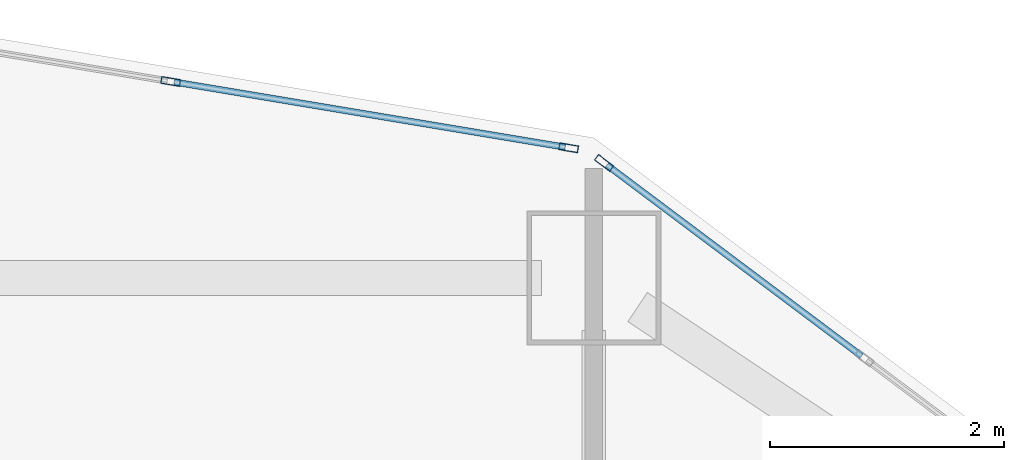
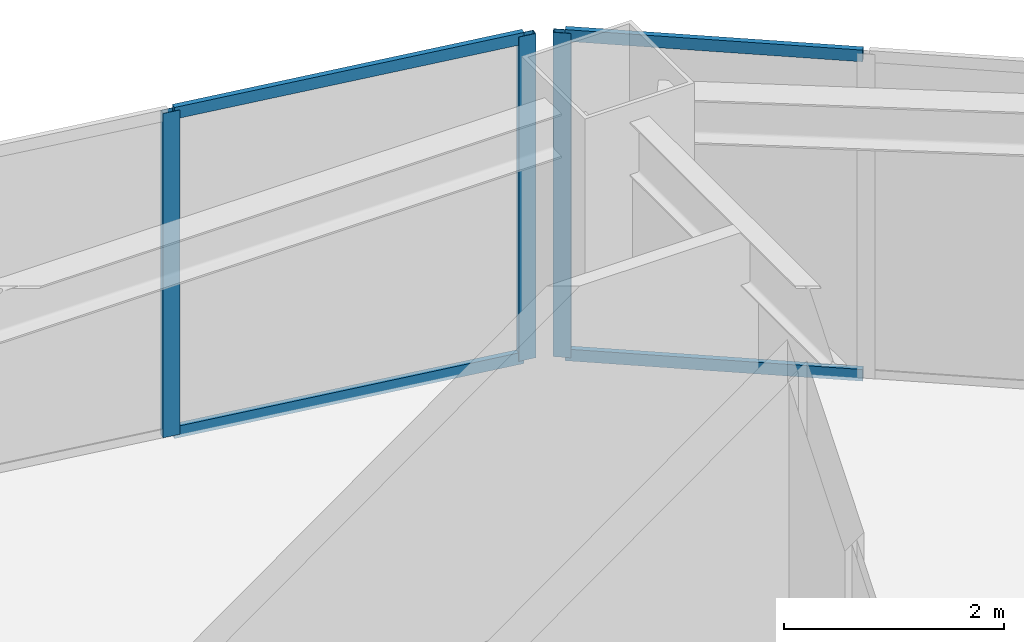
# One storey, part 4 of 16: 7 members, 2 elements without a shape of their own.
"""IFC4 building model written with IfcOpenShell, lengths in metres."""

from ifc_helpers import new_model, si_unit, direction, frame, origin, origin_2d, place, context, subcontext, project, spatial, hollow_rectangle, extrude, material, layer, layer_set, material_profile, profile_set, type_object, element, aggregate, save


model = new_model("IFC4")

# Units and contexts
model_context = context("Model", 3, precision=1e-05, world=origin(), true_north=direction((0.0, 1.0)))
body_context = subcontext(model_context, "Body", "Model", "MODEL_VIEW")
ifc_project = project(units=[si_unit("LENGTHUNIT", "METRE"), si_unit("AREAUNIT", "SQUARE_METRE"), si_unit("VOLUMEUNIT", "CUBIC_METRE"), si_unit("PLANEANGLEUNIT", "RADIAN"), si_unit("MASSUNIT", "GRAM", prefix="KILO")], contexts=[model_context])

# Site, building, storey
site_placement = place(None, origin())
site = spatial("IfcSite", under=ifc_project, at=site_placement, CompositionType="ELEMENT")
building_placement = place(site_placement, origin())
building = spatial("IfcBuilding", under=site, at=building_placement, Name="Haolan Belvedere Tower", CompositionType="ELEMENT")
storey_placement = place(building_placement, frame((0.0, 0.0, 62.800048828125)))
storey = spatial("IfcBuildingStorey", under=building, at=storey_placement, Name="L15", CompositionType="ELEMENT", Elevation=62.800048828125)

# Curtain wall, member
ifc_material_1 = material(Name="Anodised champagne-silver aluminium 6063-T6 and Low-E glass", Category="aluminium")
ifc_layer = layer(ifc_material_1, 0.1650390625, Name="Anodised champagne-silver aluminium 6063-T6 and Low-E glass")
ifc_layer_set = layer_set([ifc_layer], Name="Anodised champagne-silver aluminium 6063-T6 and Low-E glass")
curtain_wall_type = type_object("IfcCurtainWallType", Name="CW-SYS-02", PredefinedType="NOTDEFINED", material=ifc_layer_set)
curtain_wall_1_placement = place(storey_placement, origin())
curtain_wall_1 = element("IfcCurtainWall", 1, at=curtain_wall_1_placement, inside=storey, type_object=curtain_wall_type, Name="L15 CW-SYS-02 ribbon curtain wall 41.1", PredefinedType="NOTDEFINED")
ifc_material_2 = material(Name="Anodised aluminium 6063-T6", Category="aluminium")
ifc_material_profile_1 = material_profile(ifc_material_2, hollow_rectangle(XDim=0.06005859375, YDim=0.1650390625, WallThickness=0.00390625, at=origin_2d()), Name="Anodised aluminium 6063-T6")
ifc_profile_set_1 = profile_set([ifc_material_profile_1], Name="Anodised aluminium 6063-T6")
member_type_1 = type_object("IfcMemberType", Name="CW-SYS-02-MUL", PredefinedType="MULLION", material=ifc_profile_set_1)
member_1_placement = place(storey_placement, frame((45.6875, 51.384521484375, 0.0), z_axis=(0.0, 0.0, 1.0), x_axis=(-0.599994316874, -0.800004262313, 0.0)))
member_1 = element("IfcMember", 2, at=member_1_placement, type_object=member_type_1, Name="CW-02 mullion 3", PredefinedType="MULLION", context=body_context, shape_type="SweptSolid", body=[
    extrude(hollow_rectangle(XDim=0.06005859375, YDim=0.1650390625, WallThickness=0.00390625, at=origin_2d()), origin(), (0.0, 0.0, 1.0), 3.599853515625),
])

# Curtain wall, members
curtain_wall_2_placement = place(storey_placement, origin())
curtain_wall_2 = element("IfcCurtainWall", 3, at=curtain_wall_2_placement, inside=storey, type_object=curtain_wall_type, Name="L15 CW-SYS-02 ribbon curtain wall 42.1", PredefinedType="NOTDEFINED")
member_2_placement = place(storey_placement, frame((45.3837890625, 51.514404296875, 0.0), z_axis=(0.0, 0.0, 1.0), x_axis=(-0.16440364043, -0.9863931483, 0.0)))
member_2 = element("IfcMember", 4, at=member_2_placement, type_object=member_type_1, Name="CW-02 mullion 1", PredefinedType="MULLION", context=body_context, shape_type="SweptSolid", body=[
    extrude(hollow_rectangle(XDim=0.06005859375, YDim=0.1650390625, WallThickness=0.00390625, at=origin_2d()), origin(), (0.0, 0.0, 1.0), 3.599853515625),
])
member_3_placement = place(storey_placement, frame((41.9755859375, 52.082275390625, 0.0), z_axis=(0.0, 0.0, 1.0), x_axis=(-0.16440364043, -0.9863931483, 0.0)))
member_3 = element("IfcMember", 5, at=member_3_placement, type_object=member_type_1, Name="CW-02 mullion 2", PredefinedType="MULLION", context=body_context, shape_type="SweptSolid", body=[
    extrude(hollow_rectangle(XDim=0.06005859375, YDim=0.1650390625, WallThickness=0.00390625, at=origin_2d()), origin(), (0.0, 0.0, 1.0), 3.599853515625),
])

# Member
ifc_material_profile_2 = material_profile(ifc_material_2, hollow_rectangle(XDim=0.054931640625, YDim=0.1298828125, WallThickness=0.00390625, at=origin_2d()), Name="Anodised aluminium 6063-T6")
ifc_profile_set_2 = profile_set([ifc_material_profile_2], Name="Anodised aluminium 6063-T6")
member_type_2 = type_object("IfcMemberType", Name="CW-SYS-02-TRN", PredefinedType="USERDEFINED", material=ifc_profile_set_2)
member_4_placement = place(storey_placement, frame((47.8916015625, 49.731201171875, 0.02734375), z_axis=(-0.799978499504, 0.600028666258, 0.0), x_axis=(-0.600028666258, -0.799978499504, 0.0)))
member_4 = element("IfcMember", 6, at=member_4_placement, type_object=member_type_2, Name="CW-02 transom 2.1", ObjectType="TRANSOM", PredefinedType="USERDEFINED", context=body_context, shape_type="SweptSolid", body=[
    extrude(hollow_rectangle(XDim=0.054931640625, YDim=0.1298828125, WallThickness=0.00390625, at=origin_2d()), origin(), (0.0, 0.0, 1.0), 2.725341796875),
])

member_5_placement = place(storey_placement, frame((47.8916015625, 49.731201171875, 3.572509765625), z_axis=(-0.799978499504, 0.600028666258, 0.0), x_axis=(-0.600028666258, -0.799978499504, 0.0)))
member_5 = element("IfcMember", 7, at=member_5_placement, type_object=member_type_2, Name="CW-02 transom 2.2", ObjectType="TRANSOM", PredefinedType="USERDEFINED", context=body_context, shape_type="SweptSolid", body=[
    extrude(hollow_rectangle(XDim=0.054931640625, YDim=0.1298828125, WallThickness=0.00390625, at=origin_2d()), origin(), (0.0, 0.0, 1.0), 2.725341796875),
])

aggregate(curtain_wall_1, [member_1, member_4, member_5])

member_6_placement = place(storey_placement, frame((45.35400390625, 51.519287109375, 0.02734375), z_axis=(-0.986393923832, 0.164398987305, 0.0), x_axis=(-0.164398987305, -0.986393923832, 0.0)))
member_6 = element("IfcMember", 8, at=member_6_placement, type_object=member_type_2, Name="CW-02 transom 1.1", ObjectType="TRANSOM", PredefinedType="USERDEFINED", context=body_context, shape_type="SweptSolid", body=[
    extrude(hollow_rectangle(XDim=0.054931640625, YDim=0.1298828125, WallThickness=0.00390625, at=origin_2d()), origin(), (0.0, 0.0, 1.0), 3.394775390625),
])

member_7_placement = place(storey_placement, frame((45.35400390625, 51.519287109375, 3.572509765625), z_axis=(-0.986393923832, 0.164398987305, 0.0), x_axis=(-0.164398987305, -0.986393923832, 0.0)))
member_7 = element("IfcMember", 9, at=member_7_placement, type_object=member_type_2, Name="CW-02 transom 1.2", ObjectType="TRANSOM", PredefinedType="USERDEFINED", context=body_context, shape_type="SweptSolid", body=[
    extrude(hollow_rectangle(XDim=0.054931640625, YDim=0.1298828125, WallThickness=0.00390625, at=origin_2d()), origin(), (0.0, 0.0, 1.0), 3.394775390625),
])

aggregate(curtain_wall_2, [member_2, member_3, member_6, member_7])

save(model, "model.ifc")
